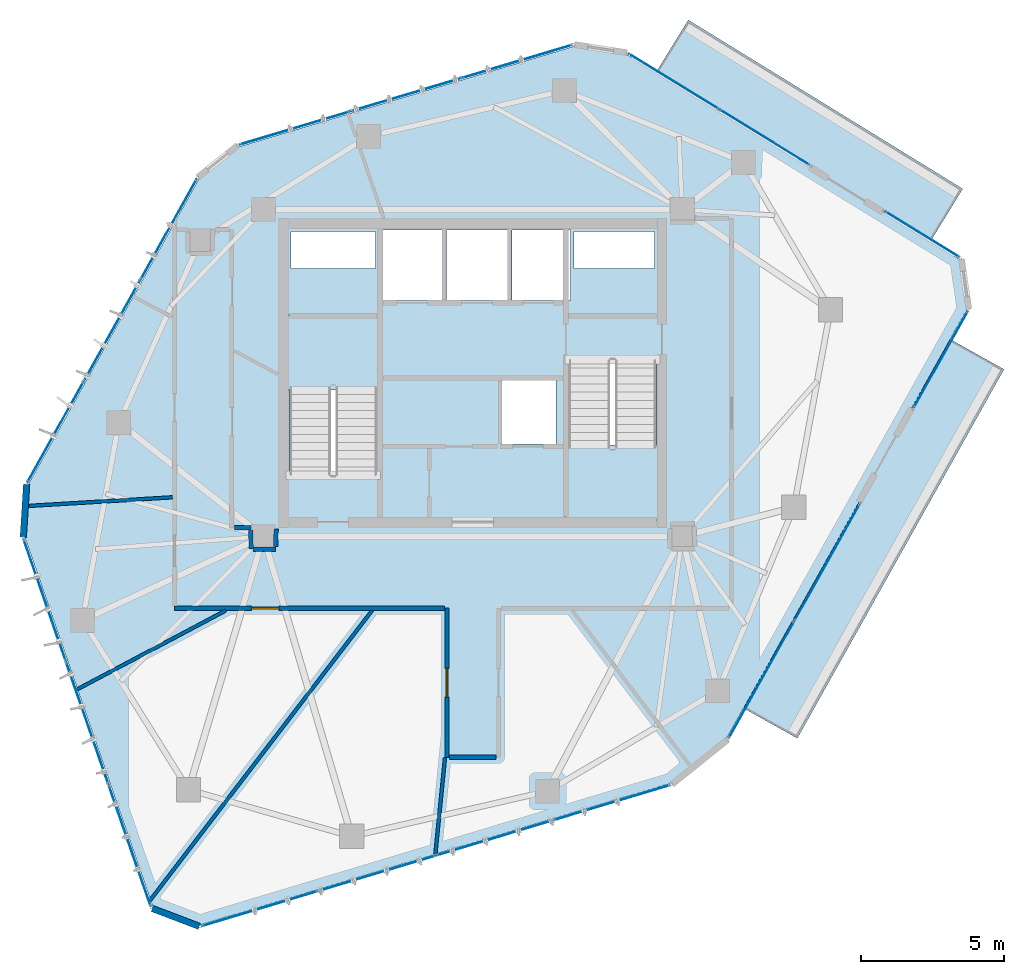
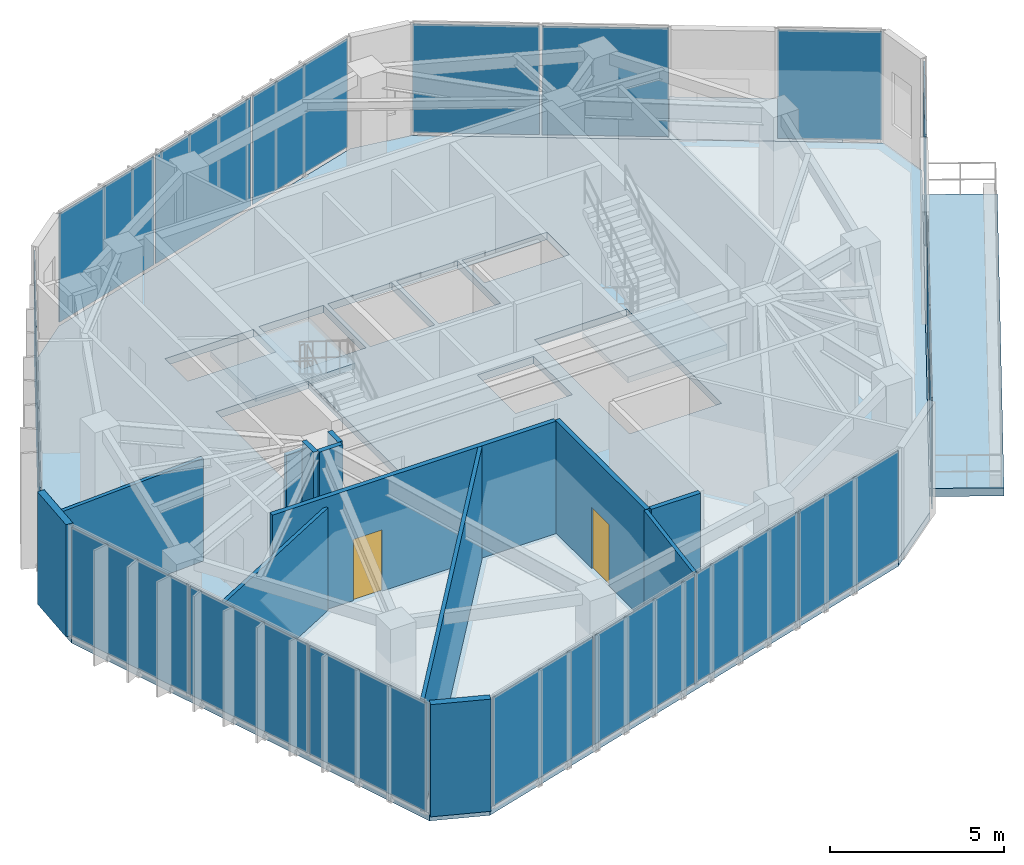
# One storey, part 15 of 20: 19 plates, 13 walls, 5 slabs, 2 doors, 2 openings, 10 elements without a shape of their own.
"""IFC4 building model written with IfcOpenShell, lengths in metres."""

from ifc_helpers import new_model, si_unit, direction, frame, frame_2d, origin, origin_2d, place, context, subcontext, project, spatial, polyline, rectangle, outline, extrude, source, transform, mapped, material, layer, layer_set, type_object, type_shapes, element, fill, aggregate, save


model = new_model("IFC4")

# Units and contexts
model_context = context("Model", 3, precision=1e-05, world=origin(), true_north=direction((0.0, 1.0)))
body_context = subcontext(model_context, "Body", "Model", "MODEL_VIEW")
ifc_project = project(units=[si_unit("LENGTHUNIT", "METRE"), si_unit("AREAUNIT", "SQUARE_METRE"), si_unit("VOLUMEUNIT", "CUBIC_METRE"), si_unit("PLANEANGLEUNIT", "RADIAN"), si_unit("MASSUNIT", "GRAM", prefix="KILO")], contexts=[model_context])

# Site, building, storey
site_placement = place(None, origin())
site = spatial("IfcSite", under=ifc_project, at=site_placement, CompositionType="ELEMENT")
building_placement = place(site_placement, origin())
building = spatial("IfcBuilding", under=site, at=building_placement, Name="Talar Marvaseh", CompositionType="ELEMENT")
storey_placement = place(building_placement, frame((0.0, 0.0, 291.800048828125)))
storey = spatial("IfcBuildingStorey", under=building, at=storey_placement, Name="L78", CompositionType="ELEMENT", Elevation=291.800048828125)

# Slabs
ifc_material_1 = material(Name="Concrete C40/50", Category="concrete")
ifc_layer_1 = layer(ifc_material_1, 0.284912109375)
ifc_layer_set_1 = layer_set([ifc_layer_1], Name="Concrete C40/50")
slab_type_1 = type_object("IfcSlabType", Name="Observation Lookout External Terrace Slab 285", PredefinedType="FLOOR", material=ifc_layer_set_1)
slab_1_placement = place(storey_placement, frame((0.0, 0.0, -0.28515625)))
element("IfcSlab", 1, at=slab_1_placement, inside=storey, type_object=slab_type_1, Name="L78 Public Observation Lookout Terrace 1", PredefinedType="FLOOR", context=body_context, shape_type="SweptSolid", body=[
    extrude(outline(polyline([(32.38818359375, 41.6787109375), (41.95751953125, 35.79248046875), (43.083740234375, 37.623779296875), (33.5146484375, 43.510009765625), (32.38818359375, 41.6787109375)])), origin(), (0.0, 0.0, 1.0), 0.28515625),
])
slab_2_placement = place(storey_placement, frame((0.0, 0.0, -0.28515625)))
element("IfcSlab", 2, at=slab_2_placement, inside=storey, type_object=slab_type_1, Name="L78 Public Observation Lookout Terrace 2", PredefinedType="FLOOR", context=body_context, shape_type="SweptSolid", body=[
    extrude(outline(polyline([(42.6474609375, 32.37744140625), (35.44091796875, 19.513671875), (37.31640625, 18.462890625), (44.523193359375, 31.32666015625), (42.6474609375, 32.37744140625)])), origin(), (0.0, 0.0, 1.0), 0.28515625),
])

# Stair, slab
stair_type = type_object("IfcStairType", Name="Reinforced Concrete High-Rise Exit Stair Type C", PredefinedType="HALF_TURN_STAIR", material=ifc_material_1)
stair_1_placement = place(storey_placement, origin())
stair_1 = element("IfcStair", 3, at=stair_1_placement, inside=storey, type_object=stair_type, Name="L78 Tower West Core Exit Stair", PredefinedType="HALF_TURN_STAIR")
ifc_layer_2 = layer(ifc_material_1, 0.199951171875)
ifc_layer_set_2 = layer_set([ifc_layer_2], Name="Concrete C40/50")
slab_type_2 = type_object("IfcSlabType", Name="Reinforced Concrete Stair Half-Landing Slab 200", PredefinedType="LANDING", material=ifc_layer_set_2)
slab_3_placement = place(storey_placement, frame((0.0, 0.0, 1.89990234375)))
slab_3 = element("IfcSlab", 4, at=slab_3_placement, type_object=slab_type_2, Name="ST-1 landing 1", PredefinedType="LANDING", context=body_context, shape_type="SweptSolid", body=[
    extrude(outline(polyline([(22.780029296875, 30.610107421875), (22.780029296875, 33.219970703125), (19.47998046875, 33.219970703125), (19.47998046875, 30.610107421875), (22.780029296875, 30.610107421875)])), origin(), (0.0, 0.0, 1.0), 0.199951171875),
])
aggregate(stair_1, [slab_3])

stair_2_placement = place(storey_placement, origin())
stair_2 = element("IfcStair", 5, at=stair_2_placement, inside=storey, type_object=stair_type, Name="L78 Tower East Core Exit Stair", PredefinedType="HALF_TURN_STAIR")
slab_4_placement = place(storey_placement, frame((0.0, 0.0, 1.89990234375)))
slab_4 = element("IfcSlab", 6, at=slab_4_placement, type_object=slab_type_2, Name="ST-2 landing 1", PredefinedType="LANDING", context=body_context, shape_type="SweptSolid", body=[
    extrude(outline(polyline([(29.219970703125, 28.68994140625), (29.219970703125, 26.080078125), (32.52001953125, 26.080078125), (32.52001953125, 28.68994140625), (29.219970703125, 28.68994140625)])), origin(), (0.0, 0.0, 1.0), 0.199951171875),
])
aggregate(stair_2, [slab_4])

# Slab
ifc_layer_3 = layer(ifc_material_1, 0.260009765625)
ifc_layer_set_3 = layer_set([ifc_layer_3], Name="Concrete C40/50")
slab_type_3 = type_object("IfcSlabType", Name="Structural Suspended Floor Slab 260", PredefinedType="FLOOR", material=ifc_layer_set_3)
slab_5_placement = place(storey_placement, frame((0.0, 0.0, -0.260009765625)))
element("IfcSlab", 7, at=slab_5_placement, inside=storey, type_object=slab_type_3, Name="L78 Tower Floor Slab", PredefinedType="FLOOR", context=body_context, shape_type="SweptSolid", body=[
    extrude(outline(polyline([(16.48583984375, 11.956787109375), (14.8427734375, 12.581787109375), (10.382080078125, 25.466064453125), (10.49951171875, 27.31884765625), (16.450927734375, 37.9755859375), (17.839599609375, 39.090087890625), (29.53173828125, 42.593994140625), (31.365966796875, 42.3076171875), (42.9794921875, 35.163818359375), (43.23388671875, 33.42431640625), (34.854248046875, 18.466796875), (32.902587890625, 16.900390625), (16.48583984375, 11.956787109375)]), holes=[polyline([(22.659912109375, 27.64990234375), (22.659912109375, 33.10009765625), (19.60009765625, 33.10009765625), (19.60009765625, 27.64990234375), (22.659912109375, 27.64990234375)]), polyline([(29.340087890625, 31.64990234375), (29.340087890625, 26.199951171875), (32.39990234375, 26.199951171875), (32.39990234375, 31.64990234375), (29.340087890625, 31.64990234375)]), polyline([(22.800048828125, 33.719970703125), (24.93994140625, 33.719970703125), (24.93994140625, 36.179931640625), (22.800048828125, 36.179931640625), (22.800048828125, 33.719970703125)]), polyline([(25.080078125, 33.719970703125), (27.219970703125, 33.719970703125), (27.219970703125, 36.179931640625), (25.080078125, 36.179931640625), (25.080078125, 33.719970703125)]), polyline([(27.360107421875, 33.719970703125), (29.39990234375, 33.719970703125), (29.39990234375, 36.179931640625), (27.360107421875, 36.179931640625), (27.360107421875, 33.719970703125)]), polyline([(27.02001953125, 28.719970703125), (28.89990234375, 28.719970703125), (28.89990234375, 30.93994140625), (27.02001953125, 30.93994140625), (27.02001953125, 28.719970703125)]), polyline([(19.659912109375, 34.840087890625), (22.60009765625, 34.840087890625), (22.60009765625, 36.139892578125), (19.659912109375, 36.139892578125), (19.659912109375, 34.840087890625)]), polyline([(29.52001953125, 34.840087890625), (32.340087890625, 34.840087890625), (32.340087890625, 36.139892578125), (29.52001953125, 36.139892578125), (29.52001953125, 34.840087890625)])]), origin(), (0.0, 0.0, 1.0), 0.260009765625),
])

# Curtain wall, plates
ifc_material_2 = material(Name="Architectural Aluminium", Category="aluminium")
ifc_layer_4 = layer(ifc_material_2, 0.239990234375)
ifc_layer_set_4 = layer_set([ifc_layer_4], Name="Architectural Aluminium")
curtain_wall_type = type_object("IfcCurtainWallType", Name="Observation Sky Gallery Structural Glass Wall", PredefinedType="NOTDEFINED", material=ifc_layer_set_4)
curtain_wall_1_placement = place(storey_placement, origin())
curtain_wall_1 = element("IfcCurtainWall", 8, at=curtain_wall_1_placement, inside=storey, type_object=curtain_wall_type, Name="L78 Observation Sky Gallery Structural Glass Wall", PredefinedType="NOTDEFINED")
ifc_material_3 = material(Name="Laminated Low-E Solar Glass", Category="glass")
ifc_layer_5 = layer(ifc_material_3, 0.028076171875)
ifc_layer_set_5 = layer_set([ifc_layer_5], Name="Laminated Low-E Solar Glass")
plate_type = type_object("IfcPlateType", Name="Double-Glazed Low-E Vision Curtain Panel 28", PredefinedType="CURTAIN_PANEL", material=ifc_layer_set_5)
shared_shape_1 = source(origin(), body_context, "Body", "SweptSolid", [
    extrude(rectangle(XDim=4.447509765625, YDim=0.028076171875, at=origin_2d()), origin(), (0.0, 0.0, 1.0), 3.81005859375),
])
plate_1_placement = place(storey_placement, frame((14.037353515625, 14.724853515625, 0.06494140625), z_axis=(0.0, 0.0, 1.0), x_axis=(-0.327150867959, 0.944972121067, 0.0)))
plate_1 = element("IfcPlate", 9, at=plate_1_placement, type_object=plate_type, Name="CW-OBS panel 1.1", PredefinedType="CURTAIN_PANEL", context=body_context, shape_type="MappedRepresentation", body=[
    mapped(shared_shape_1, transform((0.0, 0.0, 0.0), x_axis=(1.0, 0.0, 0.0), y_axis=(0.0, 1.0, 0.0), z_axis=(0.0, 0.0, 1.0), scale=1.0)),
])
plate_2_placement = place(storey_placement, frame((11.07421875, 23.28369140625, 0.06494140625), z_axis=(0.0, 0.0, 1.0), x_axis=(-0.327150867959, 0.944972121067, 0.0)))
plate_2 = element("IfcPlate", 10, at=plate_2_placement, type_object=plate_type, Name="CW-OBS panel 3.1", PredefinedType="CURTAIN_PANEL", context=body_context, shape_type="MappedRepresentation", body=[
    mapped(shared_shape_1, transform((0.0, 0.0, 0.0), x_axis=(1.0, 0.0, 0.0), y_axis=(0.0, 1.0, 0.0), z_axis=(0.0, 0.0, 1.0), scale=1.0)),
])
shared_shape_2 = source(origin(), body_context, "Body", "SweptSolid", [
    extrude(rectangle(XDim=4.47998046875, YDim=0.028076171875, at=origin_2d()), origin(), (0.0, 0.0, 1.0), 3.81005859375),
])
plate_3_placement = place(storey_placement, frame((12.5556640625, 19.00439453125, 0.06494140625), z_axis=(0.0, 0.0, 1.0), x_axis=(-0.327150867959, 0.944972121067, 0.0)))
plate_3 = element("IfcPlate", 11, at=plate_3_placement, type_object=plate_type, Name="CW-OBS panel 2.1", PredefinedType="CURTAIN_PANEL", context=body_context, shape_type="MappedRepresentation", body=[
    mapped(shared_shape_2, transform((0.0, 0.0, 0.0), x_axis=(1.0, 0.0, 0.0), y_axis=(0.0, 1.0, 0.0), z_axis=(0.0, 0.0, 1.0), scale=1.0)),
])
aggregate(curtain_wall_1, [plate_1, plate_3, plate_2])

curtain_wall_2_placement = place(storey_placement, origin())
curtain_wall_2 = element("IfcCurtainWall", 12, at=curtain_wall_2_placement, inside=storey, type_object=curtain_wall_type, Name="L78 Observation Sky Gallery Structural Glass Wall", PredefinedType="NOTDEFINED")
shared_shape_3 = source(origin(), body_context, "Body", "SweptSolid", [
    extrude(rectangle(XDim=3.97119140625, YDim=0.028076171875, at=origin_2d()), origin(), (0.0, 0.0, 1.0), 3.81005859375),
])
plate_4_placement = place(storey_placement, frame((11.44677734375, 29.138427734375, 0.06494140625), z_axis=(0.0, 0.0, 1.0), x_axis=(0.487589427747, 0.873073049607, 0.0)))
plate_4 = element("IfcPlate", 13, at=plate_4_placement, type_object=plate_type, Name="CW-OBS panel 1.1", PredefinedType="CURTAIN_PANEL", context=body_context, shape_type="MappedRepresentation", body=[
    mapped(shared_shape_3, transform((0.0, 0.0, 0.0), x_axis=(1.0, 0.0, 0.0), y_axis=(0.0, 1.0, 0.0), z_axis=(0.0, 0.0, 1.0), scale=1.0)),
])
plate_5_placement = place(storey_placement, frame((15.398681640625, 36.214599609375, 0.06494140625), z_axis=(0.0, 0.0, 1.0), x_axis=(0.487589427747, 0.873073049607, 0.0)))
plate_5 = element("IfcPlate", 14, at=plate_5_placement, type_object=plate_type, Name="CW-OBS panel 3.1", PredefinedType="CURTAIN_PANEL", context=body_context, shape_type="MappedRepresentation", body=[
    mapped(shared_shape_3, transform((0.0, 0.0, 0.0), x_axis=(1.0, 0.0, 0.0), y_axis=(0.0, 1.0, 0.0), z_axis=(0.0, 0.0, 1.0), scale=1.0)),
])

curtain_wall_3_placement = place(storey_placement, origin())
curtain_wall_3 = element("IfcCurtainWall", 15, at=curtain_wall_3_placement, inside=storey, type_object=curtain_wall_type, Name="L78 Observation Sky Gallery Structural Glass Wall", PredefinedType="NOTDEFINED")
plate_6_placement = place(storey_placement, frame((19.78662109375, 39.736328125, 0.06494140625), z_axis=(0.0, 0.0, 1.0), x_axis=(0.957911702193, 0.287063008418, 0.0)))
plate_6 = element("IfcPlate", 16, at=plate_6_placement, type_object=plate_type, Name="CW-OBS panel 1.1", PredefinedType="CURTAIN_PANEL", context=body_context, shape_type="MappedRepresentation", body=[
    mapped(shared_shape_3, transform((0.0, 0.0, 0.0), x_axis=(1.0, 0.0, 0.0), y_axis=(0.0, 1.0, 0.0), z_axis=(0.0, 0.0, 1.0), scale=1.0)),
])
plate_7_placement = place(storey_placement, frame((27.55029296875, 42.062744140625, 0.06494140625), z_axis=(0.0, 0.0, 1.0), x_axis=(0.957911702193, 0.287063008418, 0.0)))
plate_7 = element("IfcPlate", 17, at=plate_7_placement, type_object=plate_type, Name="CW-OBS panel 3.1", PredefinedType="CURTAIN_PANEL", context=body_context, shape_type="MappedRepresentation", body=[
    mapped(shared_shape_3, transform((0.0, 0.0, 0.0), x_axis=(1.0, 0.0, 0.0), y_axis=(0.0, 1.0, 0.0), z_axis=(0.0, 0.0, 1.0), scale=1.0)),
])

# Plate
shared_shape_4 = source(origin(), body_context, "Body", "SweptSolid", [
    extrude(rectangle(XDim=4.003662109375, YDim=0.028076171875, at=origin_2d()), origin(), (0.0, 0.0, 1.0), 3.81005859375),
])
plate_8_placement = place(storey_placement, frame((13.4228515625, 32.676513671875, 0.06494140625), z_axis=(0.0, 0.0, 1.0), x_axis=(0.487589427747, 0.873073049607, 0.0)))
plate_8 = element("IfcPlate", 18, at=plate_8_placement, type_object=plate_type, Name="CW-OBS panel 2.1", PredefinedType="CURTAIN_PANEL", context=body_context, shape_type="MappedRepresentation", body=[
    mapped(shared_shape_4, transform((0.0, 0.0, 0.0), x_axis=(1.0, 0.0, 0.0), y_axis=(0.0, 1.0, 0.0), z_axis=(0.0, 0.0, 1.0), scale=1.0)),
])

aggregate(curtain_wall_2, [plate_4, plate_8, plate_5])

plate_9_placement = place(storey_placement, frame((23.66845703125, 40.899658203125, 0.06494140625), z_axis=(0.0, 0.0, 1.0), x_axis=(0.957911702193, 0.287063008418, 0.0)))
plate_9 = element("IfcPlate", 19, at=plate_9_placement, type_object=plate_type, Name="CW-OBS panel 2.1", PredefinedType="CURTAIN_PANEL", context=body_context, shape_type="MappedRepresentation", body=[
    mapped(shared_shape_4, transform((0.0, 0.0, 0.0), x_axis=(1.0, 0.0, 0.0), y_axis=(0.0, 1.0, 0.0), z_axis=(0.0, 0.0, 1.0), scale=1.0)),
])

aggregate(curtain_wall_3, [plate_6, plate_9, plate_7])

# Curtain wall, plates
curtain_wall_4_placement = place(storey_placement, origin())
curtain_wall_4 = element("IfcCurtainWall", 20, at=curtain_wall_4_placement, inside=storey, type_object=curtain_wall_type, Name="L78 Observation Sky Gallery Structural Glass Wall", PredefinedType="NOTDEFINED")
shared_shape_5 = source(origin(), body_context, "Body", "SweptSolid", [
    extrude(rectangle(XDim=3.652099609375, YDim=0.028076171875, at=origin_2d()), origin(), (0.0, 0.0, 1.0), 3.81005859375),
])
plate_10_placement = place(storey_placement, frame((33.008056640625, 41.367919921875, 0.06494140625), z_axis=(0.0, 0.0, 1.0), x_axis=(0.851759944314, -0.523932244916, 0.0)))
plate_10 = element("IfcPlate", 21, at=plate_10_placement, type_object=plate_type, Name="CW-OBS panel 1.1", PredefinedType="CURTAIN_PANEL", context=body_context, shape_type="MappedRepresentation", body=[
    mapped(shared_shape_5, transform((0.0, 0.0, 0.0), x_axis=(1.0, 0.0, 0.0), y_axis=(0.0, 1.0, 0.0), z_axis=(0.0, 0.0, 1.0), scale=1.0)),
])
plate_11_placement = place(storey_placement, frame((36.174072265625, 39.42041015625, 0.06494140625), z_axis=(0.0, 0.0, 1.0), x_axis=(0.851759944314, -0.523932244916, 0.0)))
plate_11 = element("IfcPlate", 22, at=plate_11_placement, type_object=plate_type, Name="CW-OBS panel 2.1", PredefinedType="CURTAIN_PANEL", context=body_context, shape_type="MappedRepresentation", body=[
    mapped(shared_shape_5, transform((0.0, 0.0, 0.0), x_axis=(1.0, 0.0, 0.0), y_axis=(0.0, 1.0, 0.0), z_axis=(0.0, 0.0, 1.0), scale=1.0)),
])
aggregate(curtain_wall_4, [plate_10, plate_11])

# Curtain wall, plate
curtain_wall_5_placement = place(storey_placement, origin())
curtain_wall_5 = element("IfcCurtainWall", 23, at=curtain_wall_5_placement, inside=storey, type_object=curtain_wall_type, Name="L78 Observation Sky Gallery Structural Glass Wall", PredefinedType="NOTDEFINED")
shared_shape_6 = source(origin(), body_context, "Body", "SweptSolid", [
    extrude(rectangle(XDim=3.005859375, YDim=0.028076171875, at=origin_2d()), origin(), (0.0, 0.0, 1.0), 3.81005859375),
])
plate_12_placement = place(storey_placement, frame((41.67529296875, 36.03662109375, 0.06494140625), z_axis=(0.0, 0.0, 1.0), x_axis=(0.851765596474, -0.523923056053, 0.0)))
plate_12 = element("IfcPlate", 24, at=plate_12_placement, type_object=plate_type, Name="CW-OBS panel 1.1", PredefinedType="CURTAIN_PANEL", context=body_context, shape_type="MappedRepresentation", body=[
    mapped(shared_shape_6, transform((0.0, 0.0, 0.0), x_axis=(1.0, 0.0, 0.0), y_axis=(0.0, 1.0, 0.0), z_axis=(0.0, 0.0, 1.0), scale=1.0)),
])
aggregate(curtain_wall_5, [plate_12])

curtain_wall_6_placement = place(storey_placement, origin())
curtain_wall_6 = element("IfcCurtainWall", 25, at=curtain_wall_6_placement, inside=storey, type_object=curtain_wall_type, Name="L78 Observation Sky Gallery Structural Glass Wall", PredefinedType="NOTDEFINED")
shared_shape_7 = source(origin(), body_context, "Body", "SweptSolid", [
    extrude(rectangle(XDim=3.8134765625, YDim=0.028076171875, at=origin_2d()), origin(), (0.0, 0.0, 1.0), 3.81005859375),
])
plate_13_placement = place(storey_placement, frame((42.32275390625, 31.675048828125, 0.06494140625), z_axis=(0.0, 0.0, 1.0), x_axis=(-0.488744675044, -0.872426869495, 0.0)))
plate_13 = element("IfcPlate", 26, at=plate_13_placement, type_object=plate_type, Name="CW-OBS panel 1.1", PredefinedType="CURTAIN_PANEL", context=body_context, shape_type="MappedRepresentation", body=[
    mapped(shared_shape_7, transform((0.0, 0.0, 0.0), x_axis=(1.0, 0.0, 0.0), y_axis=(0.0, 1.0, 0.0), z_axis=(0.0, 0.0, 1.0), scale=1.0)),
])
aggregate(curtain_wall_6, [plate_13])

# Curtain wall, plates
curtain_wall_7_placement = place(storey_placement, origin())
curtain_wall_7 = element("IfcCurtainWall", 27, at=curtain_wall_7_placement, inside=storey, type_object=curtain_wall_type, Name="L78 Observation Sky Gallery Structural Glass Wall", PredefinedType="NOTDEFINED")
shared_shape_8 = source(origin(), body_context, "Body", "SweptSolid", [
    extrude(rectangle(XDim=4.617431640625, YDim=0.028076171875, at=origin_2d()), origin(), (0.0, 0.0, 1.0), 3.81005859375),
])
plate_14_placement = place(storey_placement, frame((38.355224609375, 24.59326171875, 0.06494140625), z_axis=(0.0, 0.0, 1.0), x_axis=(-0.488752551883, -0.872422456742, 0.0)))
plate_14 = element("IfcPlate", 28, at=plate_14_placement, type_object=plate_type, Name="CW-OBS panel 1.1", PredefinedType="CURTAIN_PANEL", context=body_context, shape_type="MappedRepresentation", body=[
    mapped(shared_shape_8, transform((0.0, 0.0, 0.0), x_axis=(1.0, 0.0, 0.0), y_axis=(0.0, 1.0, 0.0), z_axis=(0.0, 0.0, 1.0), scale=1.0)),
])
plate_15_placement = place(storey_placement, frame((36.066650390625, 20.50830078125, 0.06494140625), z_axis=(0.0, 0.0, 1.0), x_axis=(-0.488752551883, -0.872422456742, 0.0)))
plate_15 = element("IfcPlate", 29, at=plate_15_placement, type_object=plate_type, Name="CW-OBS panel 2.1", PredefinedType="CURTAIN_PANEL", context=body_context, shape_type="MappedRepresentation", body=[
    mapped(shared_shape_8, transform((0.0, 0.0, 0.0), x_axis=(1.0, 0.0, 0.0), y_axis=(0.0, 1.0, 0.0), z_axis=(0.0, 0.0, 1.0), scale=1.0)),
])
aggregate(curtain_wall_7, [plate_14, plate_15])

curtain_wall_8_placement = place(storey_placement, origin())
curtain_wall_8 = element("IfcCurtainWall", 30, at=curtain_wall_8_placement, inside=storey, type_object=curtain_wall_type, Name="L78 Observation Sky Gallery Structural Glass Wall", PredefinedType="NOTDEFINED")
shared_shape_9 = source(origin(), body_context, "Body", "SweptSolid", [
    extrude(rectangle(XDim=4.188720703125, YDim=0.028076171875, at=origin_2d()), origin(), (0.0, 0.0, 1.0), 3.81005859375),
])
plate_16_placement = place(storey_placement, frame((30.852294921875, 16.22021484375, 0.06494140625), z_axis=(0.0, 0.0, 1.0), x_axis=(-0.957526215299, -0.288346227677, 0.0)))
plate_16 = element("IfcPlate", 31, at=plate_16_placement, type_object=plate_type, Name="CW-OBS panel 1.1", PredefinedType="CURTAIN_PANEL", context=body_context, shape_type="MappedRepresentation", body=[
    mapped(shared_shape_9, transform((0.0, 0.0, 0.0), x_axis=(1.0, 0.0, 0.0), y_axis=(0.0, 1.0, 0.0), z_axis=(0.0, 0.0, 1.0), scale=1.0)),
])
plate_17_placement = place(storey_placement, frame((18.57080078125, 12.521728515625, 0.06494140625), z_axis=(0.0, 0.0, 1.0), x_axis=(-0.957526215299, -0.288346227677, 0.0)))
plate_17 = element("IfcPlate", 32, at=plate_17_placement, type_object=plate_type, Name="CW-OBS panel 4.1", PredefinedType="CURTAIN_PANEL", context=body_context, shape_type="MappedRepresentation", body=[
    mapped(shared_shape_9, transform((0.0, 0.0, 0.0), x_axis=(1.0, 0.0, 0.0), y_axis=(0.0, 1.0, 0.0), z_axis=(0.0, 0.0, 1.0), scale=1.0)),
])
shared_shape_10 = source(origin(), body_context, "Body", "SweptSolid", [
    extrude(rectangle(XDim=4.22119140625, YDim=0.028076171875, at=origin_2d()), origin(), (0.0, 0.0, 1.0), 3.81005859375),
])
type_shapes(plate_type, [shared_shape_1, shared_shape_2, shared_shape_3, shared_shape_4, shared_shape_5, shared_shape_6, shared_shape_7, shared_shape_8, shared_shape_9, shared_shape_10])
plate_18_placement = place(storey_placement, frame((26.763671875, 14.989013671875, 0.06494140625), z_axis=(0.0, 0.0, 1.0), x_axis=(-0.957526215299, -0.288346227677, 0.0)))
plate_18 = element("IfcPlate", 33, at=plate_18_placement, type_object=plate_type, Name="CW-OBS panel 2.1", PredefinedType="CURTAIN_PANEL", context=body_context, shape_type="MappedRepresentation", body=[
    mapped(shared_shape_10, transform((0.0, 0.0, 0.0), x_axis=(1.0, 0.0, 0.0), y_axis=(0.0, 1.0, 0.0), z_axis=(0.0, 0.0, 1.0), scale=1.0)),
])
plate_19_placement = place(storey_placement, frame((22.659423828125, 13.753173828125, 0.06494140625), z_axis=(0.0, 0.0, 1.0), x_axis=(-0.957526215299, -0.288346227677, 0.0)))
plate_19 = element("IfcPlate", 34, at=plate_19_placement, type_object=plate_type, Name="CW-OBS panel 3.1", PredefinedType="CURTAIN_PANEL", context=body_context, shape_type="MappedRepresentation", body=[
    mapped(shared_shape_10, transform((0.0, 0.0, 0.0), x_axis=(1.0, 0.0, 0.0), y_axis=(0.0, 1.0, 0.0), z_axis=(0.0, 0.0, 1.0), scale=1.0)),
])
aggregate(curtain_wall_8, [plate_16, plate_18, plate_19, plate_17])

# Walls
ifc_material_4 = material(Name="Precast concrete C45/55", Category="concrete")
ifc_layer_6 = layer(ifc_material_4, 0.22509765625)
ifc_layer_set_6 = layer_set([ifc_layer_6], Name="Precast concrete C45/55")
wall_type_1 = type_object("IfcWallType", Name="Chamfered Hexagonal Corner Pier Wall Z4 225", PredefinedType="SOLIDWALL", material=ifc_layer_set_6)
wall_1_placement = place(storey_placement, frame((16.464599609375, 11.900634765625, 0.0), z_axis=(0.0, 0.0, 1.0), x_axis=(-0.934681178864, 0.355487121957, 0.0)))
element("IfcWall", 35, at=wall_1_placement, inside=storey, type_object=wall_type_1, Name="L78 Chamfered Corner Limestone Pier 1", PredefinedType="SOLIDWALL", context=body_context, shape_type="SweptSolid", body=[
    extrude(rectangle(XDim=1.758056640625, YDim=0.22509765625, at=frame_2d((0.87890625, 0.0))), origin(), (0.0, 0.0, 1.0), 3.93994140625),
])
wall_2_placement = place(storey_placement, frame((10.322265625, 25.469970703125, 0.0), z_axis=(0.0, 0.0, 1.0), x_axis=(0.063123303879, 0.998005735709, 0.0)))
element("IfcWall", 36, at=wall_2_placement, inside=storey, type_object=wall_type_1, Name="L78 Chamfered Corner Limestone Pier 2", PredefinedType="SOLIDWALL", context=body_context, shape_type="SweptSolid", body=[
    extrude(rectangle(XDim=1.8564453125, YDim=0.22509765625, at=frame_2d((0.92822265625, 0.0))), origin(), (0.0, 0.0, 1.0), 3.93994140625),
])

# Wall, opening, door
ifc_material_5 = material(Name="Gypsum Board Partition Assembly")
ifc_layer_7 = layer(ifc_material_5, 0.155029296875)
ifc_layer_set_7 = layer_set([ifc_layer_7], Name="Gypsum Board Partition Assembly")
wall_type_2 = type_object("IfcWallType", Name="Corridor Fire-Rated Acoustic Partition 155", PredefinedType="PARTITIONING", material=ifc_layer_set_7)
wall_3_placement = place(storey_placement, frame((25.10009765625, 17.800048828125, 0.0), z_axis=(0.0, 0.0, 1.0), x_axis=(0.0, 1.0, 0.0)))
wall_3 = element("IfcWall", 37, at=wall_3_placement, inside=storey, type_object=wall_type_2, Name="L78 Interior Partition Wall", PredefinedType="PARTITIONING", context=body_context, shape_type="SweptSolid", body=[
    extrude(rectangle(XDim=5.199951171875, YDim=0.155029296875, at=frame_2d((2.60009765625, 0.0))), origin(), (0.0, 0.0, 1.0), 3.93994140625),
])
opening_1_placement = place(wall_3_placement, frame((2.10009765625, 0.0, 0.0)))
opening_1 = element("IfcOpeningElement", 38, at=opening_1_placement, cuts=wall_3, Name="Opening DR-RM100", PredefinedType="OPENING", context=body_context, shape_type="SweptSolid", body=[
    extrude(rectangle(XDim=1.0, YDim=2.14990234375, at=frame_2d((0.5, 1.074951171875))), frame((0.0, 0.08740234375, 0.0), z_axis=(0.0, -1.0, 0.0), x_axis=(1.0, 0.0, 0.0)), (0.0, 0.0, 1.0), 0.175048828125),
])
ifc_material_6 = material(Name="Acoustic Engineered Oak Timber", Category="wood")
door_type_1 = type_object("IfcDoorType", Name="Corridor Fire-Rated Gallery Door 1000x2150", OperationType="NOTDEFINED", PredefinedType="DOOR", material=ifc_material_6)
shared_shape_11 = source(origin(), body_context, "Body", "SweptSolid", [
    extrude(rectangle(XDim=1.0, YDim=2.14990234375, at=frame_2d((0.5, 1.074951171875))), frame((0.0, 0.02490234375, 0.0), z_axis=(0.0, -1.0, 0.0), x_axis=(1.0, 0.0, 0.0)), (0.0, 0.0, 1.0), 0.050048828125),
])
type_shapes(door_type_1, [shared_shape_11])
door_1_placement = place(opening_1_placement, origin())
door_1 = element("IfcDoor", 39, at=door_1_placement, inside=storey, type_object=door_type_1, Name="L78 Registrar Mail and Post Room Door", OperationType="SINGLE_SWING_LEFT", OverallHeight=2.14990234375, OverallWidth=1.0, PredefinedType="DOOR", context=body_context, shape_type="MappedRepresentation", body=[
    mapped(shared_shape_11, transform((0.0, 0.0, 0.0), x_axis=(1.0, 0.0, 0.0), y_axis=(0.0, 1.0, 0.0), z_axis=(0.0, 0.0, 1.0), scale=1.0)),
])
fill(opening_1, door_1)

wall_4_placement = place(storey_placement, frame((25.0166015625, 23.0, 0.0), z_axis=(0.0, 0.0, 1.0), x_axis=(-1.0, 0.0, 0.0)))
wall_4 = element("IfcWall", 40, at=wall_4_placement, inside=storey, type_object=wall_type_2, Name="L78 Interior Partition Wall", PredefinedType="PARTITIONING", context=body_context, shape_type="SweptSolid", body=[
    extrude(rectangle(XDim=9.41650390625, YDim=0.155029296875, at=frame_2d((4.708251953125, 0.0))), origin(), (0.0, 0.0, 1.0), 3.93994140625),
])
opening_2_placement = place(wall_4_placement, frame((5.7763671875, 0.0, 0.0)))
opening_2 = element("IfcOpeningElement", 41, at=opening_2_placement, cuts=wall_4, Name="Opening DR-WC095", PredefinedType="OPENING", context=body_context, shape_type="SweptSolid", body=[
    extrude(rectangle(XDim=0.949951171875, YDim=2.14990234375, at=frame_2d((0.47509765625, 1.074951171875))), frame((0.0, 0.08740234375, 0.0), z_axis=(0.0, -1.0, 0.0), x_axis=(1.0, 0.0, 0.0)), (0.0, 0.0, 1.0), 0.175048828125),
])
door_type_2 = type_object("IfcDoorType", Name="Washroom and Service Room Door 950x2150", OperationType="NOTDEFINED", PredefinedType="DOOR", material=ifc_material_6)
shared_shape_12 = source(origin(), body_context, "Body", "SweptSolid", [
    extrude(rectangle(XDim=0.949951171875, YDim=2.14990234375, at=frame_2d((0.47509765625, 1.074951171875))), frame((0.0, 0.02490234375, 0.0), z_axis=(0.0, -1.0, 0.0), x_axis=(1.0, 0.0, 0.0)), (0.0, 0.0, 1.0), 0.050048828125),
])
type_shapes(door_type_2, [shared_shape_12])
door_2_placement = place(opening_2_placement, origin())
door_2 = element("IfcDoor", 42, at=door_2_placement, inside=storey, type_object=door_type_2, Name="L78 Hospitality Tea Pantry Door", OperationType="SINGLE_SWING_RIGHT", OverallHeight=2.14990234375, OverallWidth=0.949951171875, PredefinedType="DOOR", context=body_context, shape_type="MappedRepresentation", body=[
    mapped(shared_shape_12, transform((0.0, 0.0, 0.0), x_axis=(1.0, 0.0, 0.0), y_axis=(0.0, 1.0, 0.0), z_axis=(0.0, 0.0, 1.0), scale=1.0)),
])
fill(opening_2, door_2)

# Walls
wall_5_placement = place(storey_placement, frame((17.68359375, 25.800048828125, 0.0), z_axis=(0.0, 0.0, 1.0), x_axis=(1.0, 0.0, 0.0)))
element("IfcWall", 43, at=wall_5_placement, inside=storey, type_object=wall_type_2, Name="L78 Interior Partition Wall", PredefinedType="PARTITIONING", context=body_context, shape_type="SweptSolid", body=[
    extrude(rectangle(XDim=0.576416015625, YDim=0.155029296875, at=frame_2d((0.2880859375, 0.0))), origin(), (0.0, 0.0, 1.0), 3.60205078125),
])
wall_6_placement = place(storey_placement, frame((18.260986328125, 25.716552734375, 0.0), z_axis=(0.0, 0.0, 1.0), x_axis=(0.010439401276, -0.999945507966, 0.0)))
element("IfcWall", 44, at=wall_6_placement, inside=storey, type_object=wall_type_2, Name="L78 Interior Partition Wall", PredefinedType="PARTITIONING", context=body_context, shape_type="SweptSolid", body=[
    extrude(rectangle(XDim=0.65478515625, YDim=0.155029296875, at=frame_2d((0.327392578125, 0.0))), origin(), (0.0, 0.0, 1.0), 3.93994140625),
])
wall_7_placement = place(storey_placement, frame((18.351318359375, 25.0615234375, 0.0), z_axis=(0.0, 0.0, 1.0), x_axis=(0.999998207633, -0.001893338355, 0.0)))
element("IfcWall", 45, at=wall_7_placement, inside=storey, type_object=wall_type_2, Name="L78 Interior Partition Wall", PredefinedType="PARTITIONING", context=body_context, shape_type="SweptSolid", body=[
    extrude(rectangle(XDim=0.773681640625, YDim=0.155029296875, at=frame_2d((0.38671875, 0.0))), origin(), (0.0, 0.0, 1.0), 3.93994140625),
])
wall_8_placement = place(storey_placement, frame((19.126708984375, 25.1435546875, 0.0), z_axis=(0.0, 0.0, 1.0), x_axis=(0.021238324089, 0.999774441357, 0.0)))
element("IfcWall", 46, at=wall_8_placement, inside=storey, type_object=wall_type_2, Name="L78 Interior Partition Wall", PredefinedType="PARTITIONING", context=body_context, shape_type="SweptSolid", body=[
    extrude(rectangle(XDim=0.620849609375, YDim=0.155029296875, at=frame_2d((0.310546875, 0.0))), origin(), (0.0, 0.0, 1.0), 3.93994140625),
])
wall_9_placement = place(storey_placement, frame((26.81640625, 17.800048828125, 0.0), z_axis=(0.0, 0.0, 1.0), x_axis=(-1.0, 0.0, 0.0)))
element("IfcWall", 47, at=wall_9_placement, inside=storey, type_object=wall_type_2, Name="L78 Interior Partition Wall", PredefinedType="PARTITIONING", context=body_context, shape_type="SweptSolid", body=[
    extrude(rectangle(XDim=1.6328125, YDim=0.155029296875, at=frame_2d((0.81640625, 0.0))), origin(), (0.0, 0.0, 1.0), 3.93994140625),
])
ifc_layer_8 = layer(ifc_material_5, 0.1201171875)
ifc_layer_set_8 = layer_set([ifc_layer_8], Name="Gypsum Board Partition Assembly")
wall_type_3 = type_object("IfcWallType", Name="Demountable Studio Room Partition 120", PredefinedType="PARTITIONING", material=ifc_layer_set_8)
wall_10_placement = place(storey_placement, frame((17.3828125, 22.91650390625, 0.0), z_axis=(0.0, 0.0, 1.0), x_axis=(-0.883289091571, -0.468828732814, 0.0)))
element("IfcWall", 48, at=wall_10_placement, inside=storey, type_object=wall_type_3, Name="L78 Interior Partition Wall", PredefinedType="PARTITIONING", context=body_context, shape_type="SweptSolid", body=[
    extrude(rectangle(XDim=5.886962890625, YDim=0.1201171875, at=frame_2d((2.943359375, 0.0))), origin(), (0.0, 0.0, 1.0), 3.60205078125),
])
wall_11_placement = place(storey_placement, frame((10.539306640625, 26.56689453125, 0.0), z_axis=(0.0, 0.0, 1.0), x_axis=(0.998210032862, 0.059805771406, 0.0)))
element("IfcWall", 49, at=wall_11_placement, inside=storey, type_object=wall_type_3, Name="L78 Interior Partition Wall", PredefinedType="PARTITIONING", context=body_context, shape_type="SweptSolid", body=[
    extrude(rectangle(XDim=5.0048828125, YDim=0.1201171875, at=frame_2d((2.50244140625, 0.0))), origin(), (0.0, 0.0, 1.0), 3.60205078125),
])
wall_12_placement = place(storey_placement, frame((22.486083984375, 22.91650390625, 0.0), z_axis=(0.0, 0.0, 1.0), x_axis=(-0.608056603095, -0.793893675143, 0.0)))
element("IfcWall", 50, at=wall_12_placement, inside=storey, type_object=wall_type_3, Name="L78 Interior Partition Wall", PredefinedType="PARTITIONING", context=body_context, shape_type="SweptSolid", body=[
    extrude(rectangle(XDim=12.75634765625, YDim=0.1201171875, at=frame_2d((6.378173828125, 0.0))), origin(), (0.0, 0.0, 1.0), 3.93994140625),
])
wall_13_placement = place(storey_placement, frame((25.031494140625, 17.7939453125, 0.0), z_axis=(0.0, 0.0, 1.0), x_axis=(-0.099524910292, -0.995035070855, 0.0)))
element("IfcWall", 51, at=wall_13_placement, inside=storey, type_object=wall_type_3, Name="L78 Interior Partition Wall", PredefinedType="PARTITIONING", context=body_context, shape_type="SweptSolid", body=[
    extrude(rectangle(XDim=3.422119140625, YDim=0.1201171875, at=frame_2d((1.7109375, 0.0))), origin(), (0.0, 0.0, 1.0), 3.93994140625),
])

save(model, "model.ifc")
